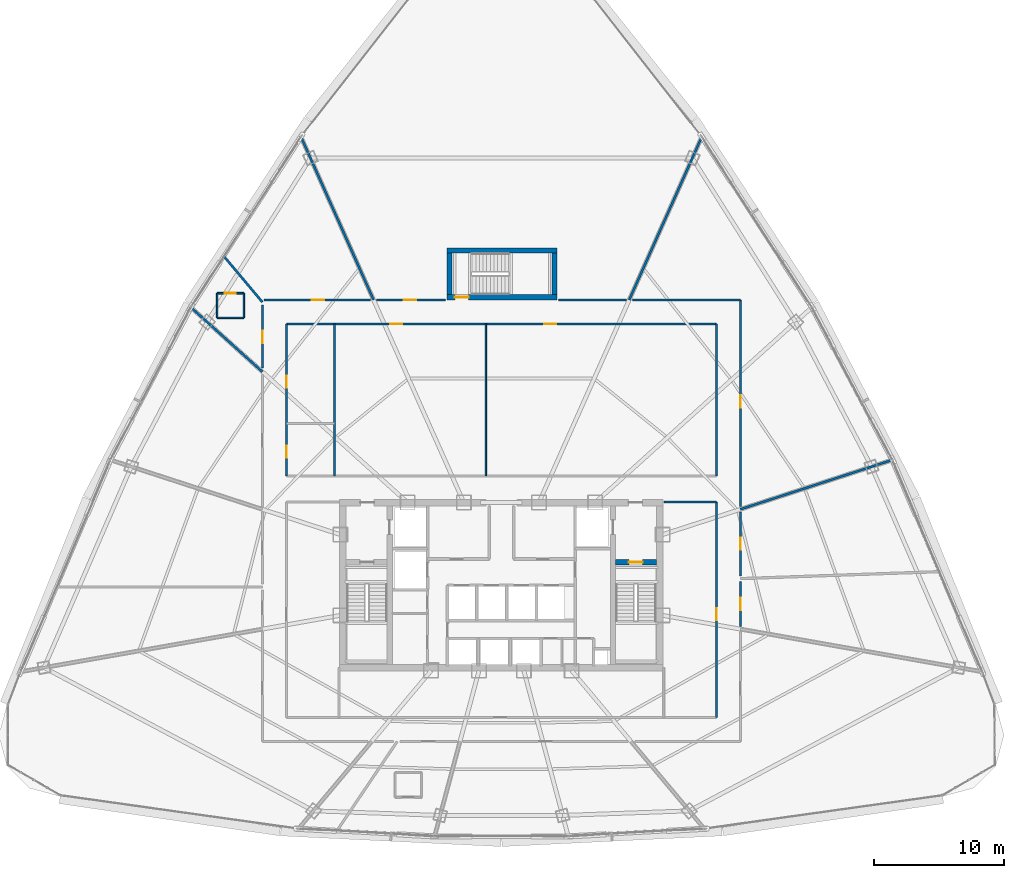
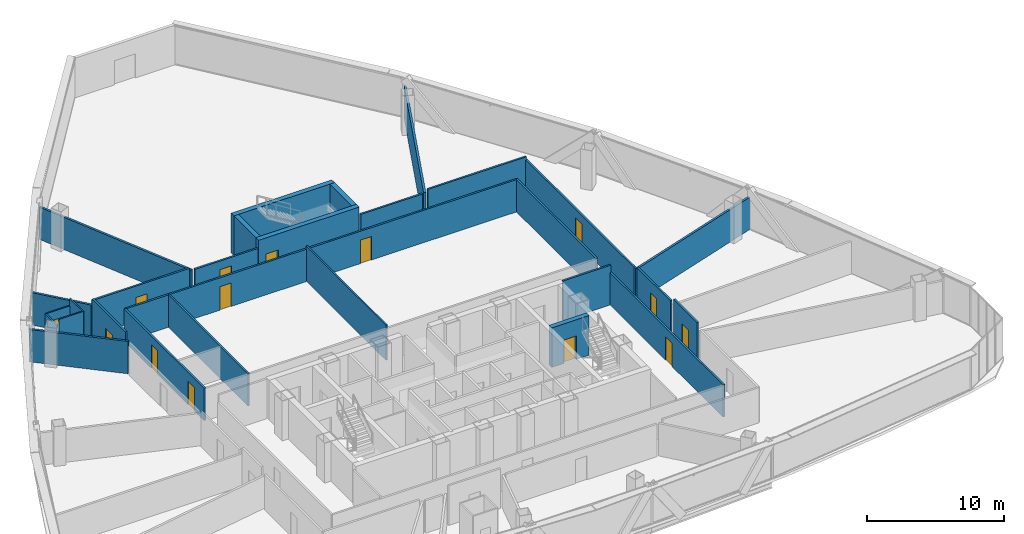
# One storey, part 33 of 38: 29 walls, 14 doors, 14 openings.
"""IFC4 building model written with IfcOpenShell, lengths in metres."""

from ifc_helpers import new_model, si_unit, direction, frame, frame_2d, origin, origin_with_axes, place, context, subcontext, project, spatial, rectangle, extrude, source, transform, mapped, material, layer, layer_set, type_object, element, fill, save


model = new_model("IFC4")

# Units and contexts
model_context = context("Model", 3, precision=1e-05, world=origin(), true_north=direction((0.0, 1.0)))
body_context = subcontext(model_context, "Body", "Model", "MODEL_VIEW")
ifc_project = project(units=[si_unit("LENGTHUNIT", "METRE"), si_unit("AREAUNIT", "SQUARE_METRE"), si_unit("VOLUMEUNIT", "CUBIC_METRE"), si_unit("PLANEANGLEUNIT", "RADIAN"), si_unit("MASSUNIT", "GRAM", prefix="KILO"), si_unit("THERMODYNAMICTEMPERATUREUNIT", "KELVIN"), si_unit("POWERUNIT", "WATT")], contexts=[model_context])

# Site, building, storey
site_placement = place(None, origin())
site = spatial("IfcSite", under=ifc_project, at=site_placement, CompositionType="ELEMENT")
building_placement = place(site_placement, origin())
building = spatial("IfcBuilding", under=site, at=building_placement, Name="Yunzhuo Pagoda Commons", CompositionType="ELEMENT")
storey_placement = place(building_placement, frame((0.0, 0.0, 203.760009765625)))
storey = spatial("IfcBuildingStorey", under=building, at=storey_placement, Name="L51", CompositionType="ELEMENT", Elevation=203.760009765625)

# Wall, openings, doors
ifc_material_1 = material(Name="Gypsum plasterboard on acoustic stud")
ifc_layer_1 = layer(ifc_material_1, 0.155029296875)
ifc_layer_set_1 = layer_set([ifc_layer_1], Name="Gypsum plasterboard on acoustic stud")
wall_type_1 = type_object("IfcWallType", Name="W-COR2 Mid-Zone Rated Corridor Wall 155", PredefinedType="PARTITIONING", material=ifc_layer_set_1)
wall_1_placement = place(storey_placement, frame((31.449951171875, 53.949951171875, 0.0), z_axis=(0.0, 0.0, 1.0), x_axis=(1.0, 0.0, 0.0)))
wall_1 = element("IfcWall", 1, at=wall_1_placement, inside=storey, type_object=wall_type_1, Name="L51 interior wall IW-L51-MCNN", PredefinedType="PARTITIONING", context=body_context, shape_type="SweptSolid", body=[
    extrude(rectangle(XDim=33.10009765625, YDim=0.155029296875, at=frame_2d((16.550048828125, 0.0))), origin(), (0.0, 0.0, 1.0), 2.889892578125),
])
opening_1_placement = place(wall_1_placement, frame((8.0, 0.0, 0.0)))
opening_1 = element("IfcOpeningElement", 2, at=opening_1_placement, cuts=wall_1, Name="Opening D-04", PredefinedType="OPENING", context=body_context, shape_type="SweptSolid", body=[
    extrude(rectangle(XDim=0.919921875, YDim=2.10009765625, at=frame_2d((0.4599609375, 1.050048828125))), frame((0.0, 0.08740234375, 0.0), z_axis=(0.0, -1.0, 0.0), x_axis=(1.0, 0.0, 0.0)), (0.0, 0.0, 1.0), 0.175048828125),
])
opening_2_placement = place(wall_1_placement, frame((19.85009765625, 0.0, 0.0)))
opening_2 = element("IfcOpeningElement", 3, at=opening_2_placement, cuts=wall_1, Name="Opening D-04", PredefinedType="OPENING", context=body_context, shape_type="SweptSolid", body=[
    extrude(rectangle(XDim=0.919921875, YDim=2.10009765625, at=frame_2d((0.4599609375, 1.050048828125))), frame((0.0, 0.08740234375, 0.0), z_axis=(0.0, -1.0, 0.0), x_axis=(1.0, 0.0, 0.0)), (0.0, 0.0, 1.0), 0.175048828125),
])
ifc_material_2 = material(Name="Powder-coated aluminium and timber acoustic leaf", Category="wood")
door_type_1 = type_object("IfcDoorType", Name="D-04 Bedroom & Study Interior Door 920x2100", OperationType="NOTDEFINED", PredefinedType="DOOR", material=ifc_material_2)
shared_shape_1 = source(origin(), body_context, "Body", "SweptSolid", [
    extrude(rectangle(XDim=0.919921875, YDim=2.10009765625, at=frame_2d((0.4599609375, 1.050048828125))), frame((0.0, 0.02490234375, 0.0), z_axis=(0.0, -1.0, 0.0), x_axis=(1.0, 0.0, 0.0)), (0.0, 0.0, 1.0), 0.050048828125),
])
door_1_placement = place(opening_1_placement, origin_with_axes())
door_1 = element("IfcDoor", 4, at=door_1_placement, inside=storey, type_object=door_type_1, Name="L51 reading commons door", OperationType="SINGLE_SWING_LEFT", OverallHeight=2.10009765625, OverallWidth=0.919921875, PredefinedType="DOOR", context=body_context, shape_type="MappedRepresentation", body=[
    mapped(shared_shape_1, transform((0.0, 0.0, 0.0), scale=1.0)),
])
fill(opening_1, door_1)
door_2_placement = place(opening_2_placement, origin_with_axes())
door_2 = element("IfcDoor", 5, at=door_2_placement, inside=storey, type_object=door_type_1, Name="L51 seminar commons door", OperationType="SINGLE_SWING_RIGHT", OverallHeight=2.10009765625, OverallWidth=0.919921875, PredefinedType="DOOR", context=body_context, shape_type="MappedRepresentation", body=[
    mapped(shared_shape_1, transform((0.0, 0.0, 0.0), scale=1.0)),
])
fill(opening_2, door_2)

wall_2_placement = place(storey_placement, frame((31.449951171875, 42.25, 0.0), z_axis=(0.0, 0.0, 1.0), x_axis=(0.0, 1.0, 0.0)))
wall_2 = element("IfcWall", 6, at=wall_2_placement, inside=storey, type_object=wall_type_1, Name="L51 interior wall IW-L51-MCNW", PredefinedType="PARTITIONING", context=body_context, shape_type="SweptSolid", body=[
    extrude(rectangle(XDim=11.699951171875, YDim=0.155029296875, at=frame_2d((5.85009765625, 0.0))), origin(), (0.0, 0.0, 1.0), 2.889892578125),
])
opening_3_placement = place(wall_2_placement, frame((1.39990234375, 0.0, 0.0)))
opening_3 = element("IfcOpeningElement", 7, at=opening_3_placement, cuts=wall_2, Name="Opening D-11", PredefinedType="OPENING", context=body_context, shape_type="SweptSolid", body=[
    extrude(rectangle(XDim=0.93994140625, YDim=2.10009765625, at=frame_2d((0.469970703125, 1.050048828125))), frame((0.0, 0.08740234375, 0.0), z_axis=(0.0, -1.0, 0.0), x_axis=(1.0, 0.0, 0.0)), (0.0, 0.0, 1.0), 0.175048828125),
])
opening_4_placement = place(wall_2_placement, frame((6.800048828125, 0.0, 0.0)))
opening_4 = element("IfcOpeningElement", 8, at=opening_4_placement, cuts=wall_2, Name="Opening D-04", PredefinedType="OPENING", context=body_context, shape_type="SweptSolid", body=[
    extrude(rectangle(XDim=0.919921875, YDim=2.10009765625, at=frame_2d((0.4599609375, 1.050048828125))), frame((0.0, 0.08740234375, 0.0), z_axis=(0.0, -1.0, 0.0), x_axis=(1.0, 0.0, 0.0)), (0.0, 0.0, 1.0), 0.175048828125),
])
ifc_material_3 = material(Name="Galvanized fire-resisting metal leaf")
door_type_2 = type_object("IfcDoorType", Name="D-11 Accessible Washroom Fire Door 940x2100", OperationType="NOTDEFINED", PredefinedType="DOOR", material=ifc_material_3)
shared_shape_2 = source(origin(), body_context, "Body", "SweptSolid", [
    extrude(rectangle(XDim=0.93994140625, YDim=2.10009765625, at=frame_2d((0.469970703125, 1.050048828125))), frame((0.0, 0.02490234375, 0.0), z_axis=(0.0, -1.0, 0.0), x_axis=(1.0, 0.0, 0.0)), (0.0, 0.0, 1.0), 0.050048828125),
])
door_3_placement = place(opening_3_placement, origin_with_axes())
door_3 = element("IfcDoor", 9, at=door_3_placement, inside=storey, type_object=door_type_2, Name="L51 accessible WC door", OperationType="SINGLE_SWING_LEFT", OverallHeight=2.10009765625, OverallWidth=0.93994140625, PredefinedType="DOOR", context=body_context, shape_type="MappedRepresentation", body=[
    mapped(shared_shape_2, transform((0.0, 0.0, 0.0), scale=1.0)),
])
fill(opening_3, door_3)
door_4_placement = place(opening_4_placement, origin_with_axes())
door_4 = element("IfcDoor", 10, at=door_4_placement, inside=storey, type_object=door_type_1, Name="L51 laundry door", OperationType="SINGLE_SWING_RIGHT", OverallHeight=2.10009765625, OverallWidth=0.919921875, PredefinedType="DOOR", context=body_context, shape_type="MappedRepresentation", body=[
    mapped(shared_shape_1, transform((0.0, 0.0, 0.0), scale=1.0)),
])
fill(opening_4, door_4)

# Walls
for number, where, z_axis, x_axis, name in (
    (11, (64.550048828125, 42.25, 0.0), (0.0, 0.0, 1.0), (0.0, 1.0, 0.0), "L51 interior wall IW-L51-MCNE"),
    (12, (35.14990234375, 42.25, 0.0), (0.0, 0.0, 1.0), (0.0, 1.0, 0.0), "L51 interior wall IW-L51-MCWCE"),
):
    element("IfcWall", number, at=place(storey_placement, frame(where, z_axis=z_axis, x_axis=x_axis)), inside=storey, type_object=wall_type_1, Name=name, PredefinedType="PARTITIONING", context=body_context, shape_type="SweptSolid", body=[
        extrude(rectangle(XDim=11.699951171875, YDim=0.155029296875, at=frame_2d((5.85009765625, 0.0))), origin(), (0.0, 0.0, 1.0), 2.889892578125),
    ])

# Wall, opening, door
wall_3_placement = place(storey_placement, frame((64.550048828125, 23.64990234375, 0.0), z_axis=(0.0, 0.0, 1.0), x_axis=(0.0, 1.0, 0.0)))
wall_3 = element("IfcWall", 13, at=wall_3_placement, inside=storey, type_object=wall_type_1, Name="L51 interior wall IW-L51-SFLE", PredefinedType="PARTITIONING", context=body_context, shape_type="SweptSolid", body=[
    extrude(rectangle(XDim=16.60009765625, YDim=0.155029296875, at=frame_2d((8.300048828125, 0.0))), origin(), (0.0, 0.0, 1.0), 2.889892578125),
])
opening_5_placement = place(wall_3_placement, frame((7.5, 0.0, 0.0)))
opening_5 = element("IfcOpeningElement", 14, at=opening_5_placement, cuts=wall_3, Name="Opening D-12", PredefinedType="OPENING", context=body_context, shape_type="SweptSolid", body=[
    extrude(rectangle(XDim=0.89990234375, YDim=2.080078125, at=frame_2d((0.449951171875, 1.0400390625))), frame((0.0, 0.08740234375, 0.0), z_axis=(0.0, -1.0, 0.0), x_axis=(1.0, 0.0, 0.0)), (0.0, 0.0, 1.0), 0.175048828125),
])
door_type_3 = type_object("IfcDoorType", Name="D-12 Quiet Study Interior Door 900x2080", OperationType="NOTDEFINED", PredefinedType="DOOR", material=ifc_material_2)
shared_shape_3 = source(origin(), body_context, "Body", "SweptSolid", [
    extrude(rectangle(XDim=0.89990234375, YDim=2.080078125, at=frame_2d((0.449951171875, 1.0400390625))), frame((0.0, 0.02490234375, 0.0), z_axis=(0.0, -1.0, 0.0), x_axis=(1.0, 0.0, 0.0)), (0.0, 0.0, 1.0), 0.050048828125),
])
door_5_placement = place(opening_5_placement, frame((0.89990234375, 0.0, 0.0), z_axis=(0.0, 0.0, 1.0), x_axis=(-1.0, 0.0, 0.0)))
door_5 = element("IfcDoor", 15, at=door_5_placement, inside=storey, type_object=door_type_3, Name="L51 east study workroom door", OperationType="SINGLE_SWING_RIGHT", OverallHeight=2.080078125, OverallWidth=0.89990234375, PredefinedType="DOOR", context=body_context, shape_type="MappedRepresentation", body=[
    mapped(shared_shape_3, transform((0.0, 0.0, 0.0), scale=1.0)),
])
fill(opening_5, door_5)

# Wall
wall_4_placement = place(storey_placement, frame((60.5, 40.25, 0.0), z_axis=(0.0, 0.0, 1.0), x_axis=(1.0, 0.0, 0.0)))
element("IfcWall", 16, at=wall_4_placement, inside=storey, type_object=wall_type_1, Name="L51 interior wall IW-L51-SFLNE", PredefinedType="PARTITIONING", context=body_context, shape_type="SweptSolid", body=[
    extrude(rectangle(XDim=4.050048828125, YDim=0.155029296875, at=frame_2d((2.02490234375, 0.0))), origin(), (0.0, 0.0, 1.0), 3.5400390625),
])

# Wall, opening, door
wall_5_placement = place(storey_placement, frame((29.60009765625, 50.5634765625, 0.0), z_axis=(0.0, 0.0, 1.0), x_axis=(0.0, 1.0, 0.0)))
wall_5 = element("IfcWall", 17, at=wall_5_placement, inside=storey, type_object=wall_type_1, Name="L51 interior wall IW-L51-CWL05", PredefinedType="PARTITIONING", context=body_context, shape_type="SweptSolid", body=[
    extrude(rectangle(XDim=4.844970703125, YDim=0.155029296875, at=frame_2d((2.42236328125, 0.0))), origin(), (0.0, 0.0, 1.0), 3.5400390625),
])
opening_6_placement = place(wall_5_placement, frame((1.909423828125, 0.0, 0.0)))
opening_6 = element("IfcOpeningElement", 18, at=opening_6_placement, cuts=wall_5, Name="Opening D-07", PredefinedType="OPENING", context=body_context, shape_type="SweptSolid", body=[
    extrude(rectangle(XDim=0.9599609375, YDim=2.1201171875, at=frame_2d((0.47998046875, 1.06005859375))), frame((0.0, 0.08740234375, 0.0), z_axis=(0.0, -1.0, 0.0), x_axis=(1.0, 0.0, 0.0)), (0.0, 0.0, 1.0), 0.175048828125),
])
door_type_4 = type_object("IfcDoorType", Name="D-07 Mid-Zone Suite Entrance Fire Door 960x2120", OperationType="NOTDEFINED", PredefinedType="DOOR", material=ifc_material_3)
shared_shape_4 = source(origin(), body_context, "Body", "SweptSolid", [
    extrude(rectangle(XDim=0.9599609375, YDim=2.1201171875, at=frame_2d((0.47998046875, 1.06005859375))), frame((0.0, 0.02490234375, 0.0), z_axis=(0.0, -1.0, 0.0), x_axis=(1.0, 0.0, 0.0)), (0.0, 0.0, 1.0), 0.050048828125),
])
door_6_placement = place(opening_6_placement, origin_with_axes())
door_6 = element("IfcDoor", 19, at=door_6_placement, inside=storey, type_object=door_type_4, Name="L51 unit 05 entrance door", OperationType="SINGLE_SWING_LEFT", OverallHeight=2.1201171875, OverallWidth=0.9599609375, PredefinedType="DOOR", context=body_context, shape_type="MappedRepresentation", body=[
    mapped(shared_shape_4, transform((0.0, 0.0, 0.0), scale=1.0)),
])
fill(opening_6, door_6)

wall_6_placement = place(storey_placement, frame((29.7431640625, 55.800048828125, 0.0), z_axis=(0.0, 0.0, 1.0), x_axis=(1.0, 0.0, 0.0)))
wall_6 = element("IfcWall", 20, at=wall_6_placement, inside=storey, type_object=wall_type_1, Name="L51 interior wall IW-L51-CWL06", PredefinedType="PARTITIONING", context=body_context, shape_type="SweptSolid", body=[
    extrude(rectangle(XDim=8.176513671875, YDim=0.155029296875, at=frame_2d((4.08837890625, 0.0))), origin(), (0.0, 0.0, 1.0), 3.139892578125),
])
opening_7_placement = place(wall_6_placement, frame((3.6455078125, 0.0, 0.0)))
opening_7 = element("IfcOpeningElement", 21, at=opening_7_placement, cuts=wall_6, Name="Opening D-07", PredefinedType="OPENING", context=body_context, shape_type="SweptSolid", body=[
    extrude(rectangle(XDim=0.9599609375, YDim=2.1201171875, at=frame_2d((0.47998046875, 1.06005859375))), frame((0.0, 0.08740234375, 0.0), z_axis=(0.0, -1.0, 0.0), x_axis=(1.0, 0.0, 0.0)), (0.0, 0.0, 1.0), 0.175048828125),
])
door_7_placement = place(opening_7_placement, origin_with_axes())
door_7 = element("IfcDoor", 22, at=door_7_placement, inside=storey, type_object=door_type_4, Name="L51 unit 04 entrance door", OperationType="SINGLE_SWING_RIGHT", OverallHeight=2.1201171875, OverallWidth=0.9599609375, PredefinedType="DOOR", context=body_context, shape_type="MappedRepresentation", body=[
    mapped(shared_shape_4, transform((0.0, 0.0, 0.0), scale=1.0)),
])
fill(opening_7, door_7)

wall_7_placement = place(storey_placement, frame((38.380126953125, 55.800048828125, 0.0), z_axis=(0.0, 0.0, 1.0), x_axis=(1.0, 0.0, 0.0)))
wall_7 = element("IfcWall", 23, at=wall_7_placement, inside=storey, type_object=wall_type_1, Name="L51 interior wall IW-L51-CWL07", PredefinedType="PARTITIONING", context=body_context, shape_type="SweptSolid", body=[
    extrude(rectangle(XDim=5.328857421875, YDim=0.155029296875, at=frame_2d((2.66455078125, 0.0))), origin(), (0.0, 0.0, 1.0), 2.889892578125),
])
opening_8_placement = place(wall_7_placement, frame((2.114990234375, 0.0, 0.0)))
opening_8 = element("IfcOpeningElement", 24, at=opening_8_placement, cuts=wall_7, Name="Opening D-07", PredefinedType="OPENING", context=body_context, shape_type="SweptSolid", body=[
    extrude(rectangle(XDim=0.9599609375, YDim=2.1201171875, at=frame_2d((0.47998046875, 1.06005859375))), frame((0.0, 0.08740234375, 0.0), z_axis=(0.0, -1.0, 0.0), x_axis=(1.0, 0.0, 0.0)), (0.0, 0.0, 1.0), 0.175048828125),
])
door_8_placement = place(opening_8_placement, origin_with_axes())
door_8 = element("IfcDoor", 25, at=door_8_placement, inside=storey, type_object=door_type_4, Name="L51 unit 03 entrance door", OperationType="SINGLE_SWING_LEFT", OverallHeight=2.1201171875, OverallWidth=0.9599609375, PredefinedType="DOOR", context=body_context, shape_type="MappedRepresentation", body=[
    mapped(shared_shape_4, transform((0.0, 0.0, 0.0), scale=1.0)),
])
fill(opening_8, door_8)

# Walls
wall_8_placement = place(storey_placement, frame((52.39111328125, 55.800048828125, 0.0), z_axis=(0.0, 0.0, 1.0), x_axis=(1.0, 0.0, 0.0)))
element("IfcWall", 26, at=wall_8_placement, inside=storey, type_object=wall_type_1, Name="L51 interior wall IW-L51-CWL08", PredefinedType="PARTITIONING", context=body_context, shape_type="SweptSolid", body=[
    extrude(rectangle(XDim=5.228759765625, YDim=0.155029296875, at=frame_2d((2.6142578125, 0.0))), origin(), (0.0, 0.0, 1.0), 2.889892578125),
])
wall_9_placement = place(storey_placement, frame((58.080322265625, 55.800048828125, 0.0), z_axis=(0.0, 0.0, 1.0), x_axis=(1.0, 0.0, 0.0)))
element("IfcWall", 27, at=wall_9_placement, inside=storey, type_object=wall_type_1, Name="L51 interior wall IW-L51-CWL09", PredefinedType="PARTITIONING", context=body_context, shape_type="SweptSolid", body=[
    extrude(rectangle(XDim=8.319580078125, YDim=0.155029296875, at=frame_2d((4.15966796875, 0.0))), origin(), (0.0, 0.0, 1.0), 3.139892578125),
])

# Wall, opening, door
wall_10_placement = place(storey_placement, frame((66.39990234375, 55.800048828125, 0.0), z_axis=(0.0, 0.0, 1.0), x_axis=(0.0, -1.0, 0.0)))
wall_10 = element("IfcWall", 28, at=wall_10_placement, inside=storey, type_object=wall_type_1, Name="L51 interior wall IW-L51-CWL10", PredefinedType="PARTITIONING", context=body_context, shape_type="SweptSolid", body=[
    extrude(rectangle(XDim=15.89013671875, YDim=0.155029296875, at=frame_2d((7.945068359375, 0.0))), origin(), (0.0, 0.0, 1.0), 2.889892578125),
])
opening_9_placement = place(wall_10_placement, frame((7.355712890625, 0.0, 0.0)))
opening_9 = element("IfcOpeningElement", 29, at=opening_9_placement, cuts=wall_10, Name="Opening D-07", PredefinedType="OPENING", context=body_context, shape_type="SweptSolid", body=[
    extrude(rectangle(XDim=0.9599609375, YDim=2.1201171875, at=frame_2d((0.47998046875, 1.06005859375))), frame((0.0, 0.08740234375, 0.0), z_axis=(0.0, -1.0, 0.0), x_axis=(1.0, 0.0, 0.0)), (0.0, 0.0, 1.0), 0.175048828125),
])
door_9_placement = place(opening_9_placement, origin_with_axes())
door_9 = element("IfcDoor", 30, at=door_9_placement, inside=storey, type_object=door_type_4, Name="L51 Shared Resident Kitchen and Pantry door", OperationType="SINGLE_SWING_RIGHT", OverallHeight=2.1201171875, OverallWidth=0.9599609375, PredefinedType="DOOR", context=body_context, shape_type="MappedRepresentation", body=[
    mapped(shared_shape_4, transform((0.0, 0.0, 0.0), scale=1.0)),
])
fill(opening_9, door_9)

wall_11_placement = place(storey_placement, frame((66.39990234375, 39.458740234375, 0.0), z_axis=(0.0, 0.0, 1.0), x_axis=(0.0, -1.0, 0.0)))
wall_11 = element("IfcWall", 31, at=wall_11_placement, inside=storey, type_object=wall_type_1, Name="L51 interior wall IW-L51-CWL11", PredefinedType="PARTITIONING", context=body_context, shape_type="SweptSolid", body=[
    extrude(rectangle(XDim=4.896240234375, YDim=0.155029296875, at=frame_2d((2.4482421875, 0.0))), origin(), (0.0, 0.0, 1.0), 3.139892578125),
])
opening_10_placement = place(wall_11_placement, frame((1.98828125, 0.0, 0.0)))
opening_10 = element("IfcOpeningElement", 32, at=opening_10_placement, cuts=wall_11, Name="Opening D-04", PredefinedType="OPENING", context=body_context, shape_type="SweptSolid", body=[
    extrude(rectangle(XDim=0.919921875, YDim=2.10009765625, at=frame_2d((0.4599609375, 1.050048828125))), frame((0.0, 0.08740234375, 0.0), z_axis=(0.0, -1.0, 0.0), x_axis=(1.0, 0.0, 0.0)), (0.0, 0.0, 1.0), 0.175048828125),
])
door_10_placement = place(opening_10_placement, origin_with_axes())
door_10 = element("IfcDoor", 33, at=door_10_placement, inside=storey, type_object=door_type_1, Name="L51 seminar room 01 door", OperationType="SINGLE_SWING_LEFT", OverallHeight=2.10009765625, OverallWidth=0.919921875, PredefinedType="DOOR", context=body_context, shape_type="MappedRepresentation", body=[
    mapped(shared_shape_1, transform((0.0, 0.0, 0.0), scale=1.0)),
])
fill(opening_10, door_10)

wall_12_placement = place(storey_placement, frame((66.39990234375, 34.122802734375, 0.0), z_axis=(0.0, 0.0, 1.0), x_axis=(0.0, -1.0, 0.0)))
wall_12 = element("IfcWall", 34, at=wall_12_placement, inside=storey, type_object=wall_type_1, Name="L51 interior wall IW-L51-CWL12", PredefinedType="PARTITIONING", context=body_context, shape_type="SweptSolid", body=[
    extrude(rectangle(XDim=3.447509765625, YDim=0.155029296875, at=frame_2d((1.7236328125, 0.0))), origin(), (0.0, 0.0, 1.0), 3.5400390625),
])
opening_11_placement = place(wall_12_placement, frame((1.24853515625, 0.0, 0.0)))
opening_11 = element("IfcOpeningElement", 35, at=opening_11_placement, cuts=wall_12, Name="Opening D-07", PredefinedType="OPENING", context=body_context, shape_type="SweptSolid", body=[
    extrude(rectangle(XDim=0.9599609375, YDim=2.1201171875, at=frame_2d((0.47998046875, 1.06005859375))), frame((0.0, 0.08740234375, 0.0), z_axis=(0.0, -1.0, 0.0), x_axis=(1.0, 0.0, 0.0)), (0.0, 0.0, 1.0), 0.175048828125),
])
door_11_placement = place(opening_11_placement, origin_with_axes())
door_11 = element("IfcDoor", 36, at=door_11_placement, inside=storey, type_object=door_type_4, Name="L51 unit 14 entrance door", OperationType="SINGLE_SWING_RIGHT", OverallHeight=2.1201171875, OverallWidth=0.9599609375, PredefinedType="DOOR", context=body_context, shape_type="MappedRepresentation", body=[
    mapped(shared_shape_4, transform((0.0, 0.0, 0.0), scale=1.0)),
])
fill(opening_11, door_11)

# Walls
ifc_layer_2 = layer(ifc_material_1, 0.1201171875)
ifc_layer_set_2 = layer_set([ifc_layer_2], Name="Gypsum plasterboard on acoustic stud")
wall_type_2 = type_object("IfcWallType", Name="W-PRT1 Suite & Bathroom Partition 120", PredefinedType="PARTITIONING", material=ifc_layer_set_2)
wall_13_placement = place(storey_placement, frame((46.800048828125, 42.25, 0.0), z_axis=(0.0, 0.0, 1.0), x_axis=(0.0, 1.0, 0.0)))
element("IfcWall", 37, at=wall_13_placement, inside=storey, type_object=wall_type_2, Name="L51 interior wall IW-L51-MCDIV", PredefinedType="PARTITIONING", context=body_context, shape_type="SweptSolid", body=[
    extrude(rectangle(XDim=11.699951171875, YDim=0.1201171875, at=frame_2d((5.85009765625, 0.0))), origin(), (0.0, 0.0, 1.0), 3.139892578125),
])
wall_14_placement = place(storey_placement, frame((26.1201171875, 54.408935546875, 0.0), z_axis=(0.0, 0.0, 1.0), x_axis=(1.0, 0.0, 0.0)))
element("IfcWall", 38, at=wall_14_placement, inside=storey, type_object=wall_type_2, Name="L51 interior wall IW-L51-B05S", PredefinedType="PARTITIONING", context=body_context, shape_type="SweptSolid", body=[
    extrude(rectangle(XDim=2.0498046875, YDim=0.1201171875, at=frame_2d((1.02490234375, 0.0))), origin(), (0.0, 0.0, 1.0), 3.5400390625),
])
wall_15_placement = place(storey_placement, frame((28.169921875, 54.408935546875, 0.0), z_axis=(0.0, 0.0, 1.0), x_axis=(0.0, 1.0, 0.0)))
element("IfcWall", 39, at=wall_15_placement, inside=storey, type_object=wall_type_2, Name="L51 interior wall IW-L51-B05E", PredefinedType="PARTITIONING", context=body_context, shape_type="SweptSolid", body=[
    extrude(rectangle(XDim=1.900146484375, YDim=0.1201171875, at=frame_2d((0.9501953125, 0.0))), origin(), (0.0, 0.0, 1.0), 3.5400390625),
])

# Wall, opening, door
wall_16_placement = place(storey_placement, frame((28.169921875, 56.30908203125, 0.0), z_axis=(0.0, 0.0, 1.0), x_axis=(-1.0, 0.0, 0.0)))
wall_16 = element("IfcWall", 40, at=wall_16_placement, inside=storey, type_object=wall_type_2, Name="L51 interior wall IW-L51-B05N", PredefinedType="PARTITIONING", context=body_context, shape_type="SweptSolid", body=[
    extrude(rectangle(XDim=2.0498046875, YDim=0.1201171875, at=frame_2d((1.02490234375, 0.0))), origin(), (0.0, 0.0, 1.0), 2.889892578125),
])
opening_12_placement = place(wall_16_placement, frame((0.60009765625, 0.0, 0.0)))
opening_12 = element("IfcOpeningElement", 41, at=opening_12_placement, cuts=wall_16, Name="Opening D-05", PredefinedType="OPENING", context=body_context, shape_type="SweptSolid", body=[
    extrude(rectangle(XDim=0.85009765625, YDim=2.10009765625, at=frame_2d((0.425048828125, 1.050048828125))), frame((0.0, 0.070068359375, 0.0), z_axis=(0.0, -1.0, 0.0), x_axis=(1.0, 0.0, 0.0)), (0.0, 0.0, 1.0), 0.14013671875),
])
door_type_5 = type_object("IfcDoorType", Name="D-05 En-Suite Bathroom Door 850x2100", OperationType="NOTDEFINED", PredefinedType="DOOR", material=ifc_material_2)
shared_shape_5 = source(origin(), body_context, "Body", "SweptSolid", [
    extrude(rectangle(XDim=0.85009765625, YDim=2.10009765625, at=frame_2d((0.425048828125, 1.050048828125))), frame((0.0, 0.02490234375, 0.0), z_axis=(0.0, -1.0, 0.0), x_axis=(1.0, 0.0, 0.0)), (0.0, 0.0, 1.0), 0.050048828125),
])
door_12_placement = place(opening_12_placement, frame((0.85009765625, 0.0, 0.0), z_axis=(0.0, 0.0, 1.0), x_axis=(-1.0, 0.0, 0.0)))
door_12 = element("IfcDoor", 42, at=door_12_placement, inside=storey, type_object=door_type_5, Name="L51 unit 05 bathroom door", OperationType="SINGLE_SWING_LEFT", OverallHeight=2.10009765625, OverallWidth=0.85009765625, PredefinedType="DOOR", context=body_context, shape_type="MappedRepresentation", body=[
    mapped(shared_shape_5, transform((0.0, 0.0, 0.0), scale=1.0)),
])
fill(opening_12, door_12)

# Walls
wall_17_placement = place(storey_placement, frame((26.1201171875, 56.30908203125, 0.0), z_axis=(0.0, 0.0, 1.0), x_axis=(0.0, -1.0, 0.0)))
element("IfcWall", 43, at=wall_17_placement, inside=storey, type_object=wall_type_2, Name="L51 interior wall IW-L51-B05W", PredefinedType="PARTITIONING", context=body_context, shape_type="SweptSolid", body=[
    extrude(rectangle(XDim=1.900146484375, YDim=0.1201171875, at=frame_2d((0.9501953125, 0.0))), origin(), (0.0, 0.0, 1.0), 2.889892578125),
])
ifc_layer_3 = layer(ifc_material_1, 0.175048828125)
ifc_layer_set_3 = layer_set([ifc_layer_3], Name="Gypsum plasterboard on acoustic stud")
wall_type_3 = type_object("IfcWallType", Name="W-PRT3 Mid-Zone Demising Wall 175", PredefinedType="PARTITIONING", material=ifc_layer_set_3)
wall_18_placement = place(storey_placement, frame((66.39990234375, 39.678466796875, 0.0), z_axis=(0.0, 0.0, 1.0), x_axis=(0.951057676857, 0.309013422511, 0.0)))
element("IfcWall", 44, at=wall_18_placement, inside=storey, type_object=wall_type_3, Name="L51 interior wall IW-L51-RAD02", PredefinedType="PARTITIONING", context=body_context, shape_type="SweptSolid", body=[
    extrude(rectangle(XDim=12.31005859375, YDim=0.175048828125, at=frame_2d((6.155029296875, 0.0))), origin(), (0.0, 0.0, 1.0), 2.889892578125),
])
for number, where, z_axis, x_axis, name in (
    (45, (57.839599609375, 55.800048828125, 0.0), (0.0, 0.0, 1.0), (0.406733161266, 0.913547007836, 0.0), "L51 interior wall IW-L51-RAD03"),
    (46, (38.160400390625, 55.800048828125, 0.0), (0.0, 0.0, 1.0), (-0.406733161266, 0.913547007836, 0.0), "L51 interior wall IW-L51-RAD04"),
):
    element("IfcWall", number, at=place(storey_placement, frame(where, z_axis=z_axis, x_axis=x_axis)), inside=storey, type_object=wall_type_3, Name=name, PredefinedType="PARTITIONING", context=body_context, shape_type="SweptSolid", body=[
        extrude(rectangle(XDim=13.748779296875, YDim=0.175048828125, at=frame_2d((6.87451171875, 0.0))), origin(), (0.0, 0.0, 1.0), 2.889892578125),
    ])
wall_19_placement = place(storey_placement, frame((29.60009765625, 55.62841796875, 0.0), z_axis=(0.0, 0.0, 1.0), x_axis=(-0.642810353623, 0.766025358115, 0.0)))
element("IfcWall", 47, at=wall_19_placement, inside=storey, type_object=wall_type_3, Name="L51 interior wall IW-L51-RAD05", PredefinedType="PARTITIONING", context=body_context, shape_type="SweptSolid", body=[
    extrude(rectangle(XDim=4.62060546875, YDim=0.175048828125, at=frame_2d((2.310302734375, 0.0))), origin(), (0.0, 0.0, 1.0), 2.889892578125),
])
wall_20_placement = place(storey_placement, frame((29.60009765625, 50.267333984375, 0.0), z_axis=(0.0, 0.0, 1.0), x_axis=(-0.743143583897, 0.669131985271, 0.0)))
element("IfcWall", 48, at=wall_20_placement, inside=storey, type_object=wall_type_3, Name="L51 interior wall IW-L51-RAD06", PredefinedType="PARTITIONING", context=body_context, shape_type="SweptSolid", body=[
    extrude(rectangle(XDim=7.418701171875, YDim=0.175048828125, at=frame_2d((3.70947265625, 0.0))), origin(), (0.0, 0.0, 1.0), 2.889892578125),
])

# Wall, opening, door
ifc_material_4 = material(Name="Concrete C60", Category="concrete")
ifc_layer_4 = layer(ifc_material_4, 0.39990234375)
ifc_layer_set_4 = layer_set([ifc_layer_4], Name="Concrete C60")
wall_type_4 = type_object("IfcWallType", Name="W-S01 Internal Core Shear Web 400", PredefinedType="SHEAR", material=ifc_layer_set_4)
wall_21_placement = place(storey_placement, frame((56.800048828125, 35.60009765625, 0.0), z_axis=(0.0, 0.0, 1.0), x_axis=(1.0, 0.0, 0.0)))
wall_21 = element("IfcWall", 49, at=wall_21_placement, inside=storey, type_object=wall_type_4, Name="L51 core shear wall STE", PredefinedType="SHEAR", context=body_context, shape_type="SweptSolid", body=[
    extrude(rectangle(XDim=3.14990234375, YDim=0.39990234375, at=frame_2d((1.574951171875, 0.0))), origin(), (0.0, 0.0, 1.0), 3.5400390625),
])
opening_13_placement = place(wall_21_placement, frame((1.02001953125, 0.0, 0.0)))
opening_13 = element("IfcOpeningElement", 50, at=opening_13_placement, cuts=wall_21, Name="Opening D-01", PredefinedType="OPENING", context=body_context, shape_type="SweptSolid", body=[
    extrude(rectangle(XDim=1.050048828125, YDim=2.10009765625, at=frame_2d((0.52490234375, 1.050048828125))), frame((0.0, 0.2099609375, 0.0), z_axis=(0.0, -1.0, 0.0), x_axis=(1.0, 0.0, 0.0)), (0.0, 0.0, 1.0), 0.419921875),
])
door_type_6 = type_object("IfcDoorType", Name="D-01 Smokeproof Stair Fire Door 1050x2100", OperationType="NOTDEFINED", PredefinedType="DOOR", material=ifc_material_3)
shared_shape_6 = source(origin(), body_context, "Body", "SweptSolid", [
    extrude(rectangle(XDim=1.050048828125, YDim=2.10009765625, at=frame_2d((0.52490234375, 1.050048828125))), frame((0.0, 0.02490234375, 0.0), z_axis=(0.0, -1.0, 0.0), x_axis=(1.0, 0.0, 0.0)), (0.0, 0.0, 1.0), 0.050048828125),
])
door_13_placement = place(opening_13_placement, frame((1.050048828125, 0.0, 0.0), z_axis=(0.0, 0.0, 1.0), x_axis=(-1.0, 0.0, 0.0)))
door_13 = element("IfcDoor", 51, at=door_13_placement, inside=storey, type_object=door_type_6, Name="L51 Stair ST2 fire door", OperationType="SINGLE_SWING_RIGHT", OverallHeight=2.10009765625, OverallWidth=1.050048828125, PredefinedType="DOOR", context=body_context, shape_type="MappedRepresentation", body=[
    mapped(shared_shape_6, transform((0.0, 0.0, 0.0), scale=1.0)),
])
fill(opening_13, door_13)

# Wall
wall_22_placement = place(storey_placement, frame((43.800048828125, 59.60009765625, 0.0), z_axis=(0.0, 0.0, 1.0), x_axis=(1.0, 0.0, 0.0)))
element("IfcWall", 52, at=wall_22_placement, inside=storey, type_object=wall_type_4, Name="L51 ST3 structural stair wall N", PredefinedType="SHEAR", context=body_context, shape_type="SweptSolid", body=[
    extrude(rectangle(XDim=8.5, YDim=0.39990234375, at=frame_2d((4.25, 0.0))), origin(), (0.0, 0.0, 1.0), 3.5400390625),
])

# Wall, opening, door
wall_23_placement = place(storey_placement, frame((43.800048828125, 56.0, 0.0), z_axis=(0.0, 0.0, 1.0), x_axis=(1.0, 0.0, 0.0)))
wall_23 = element("IfcWall", 53, at=wall_23_placement, inside=storey, type_object=wall_type_4, Name="L51 ST3 structural stair wall S", PredefinedType="SHEAR", context=body_context, shape_type="SweptSolid", body=[
    extrude(rectangle(XDim=8.5, YDim=0.39990234375, at=frame_2d((4.25, 0.0))), origin(), (0.0, 0.0, 1.0), 3.5400390625),
])
opening_14_placement = place(wall_23_placement, frame((0.6201171875, 0.0, 0.0)))
opening_14 = element("IfcOpeningElement", 54, at=opening_14_placement, cuts=wall_23, Name="Opening D-01", PredefinedType="OPENING", context=body_context, shape_type="SweptSolid", body=[
    extrude(rectangle(XDim=1.050048828125, YDim=2.10009765625, at=frame_2d((0.52490234375, 1.050048828125))), frame((0.0, 0.2099609375, 0.0), z_axis=(0.0, -1.0, 0.0), x_axis=(1.0, 0.0, 0.0)), (0.0, 0.0, 1.0), 0.419921875),
])
door_14_placement = place(opening_14_placement, frame((1.050048828125, 0.0, 0.0), z_axis=(0.0, 0.0, 1.0), x_axis=(-1.0, 0.0, 0.0)))
door_14 = element("IfcDoor", 55, at=door_14_placement, inside=storey, type_object=door_type_6, Name="L51 Stair ST3 fire door", OperationType="SINGLE_SWING_LEFT", OverallHeight=2.10009765625, OverallWidth=1.050048828125, PredefinedType="DOOR", context=body_context, shape_type="MappedRepresentation", body=[
    mapped(shared_shape_6, transform((0.0, 0.0, 0.0), scale=1.0)),
])
fill(opening_14, door_14)

# Walls
for number, where, z_axis, x_axis, name in (
    (56, (44.0, 56.199951171875, 0.0), (0.0, 0.0, 1.0), (0.0, 1.0, 0.0), "L51 ST3 structural stair wall W"),
    (57, (52.10009765625, 56.199951171875, 0.0), (0.0, 0.0, 1.0), (0.0, 1.0, 0.0), "L51 ST3 structural stair wall E"),
):
    element("IfcWall", number, at=place(storey_placement, frame(where, z_axis=z_axis, x_axis=x_axis)), inside=storey, type_object=wall_type_4, Name=name, PredefinedType="SHEAR", context=body_context, shape_type="SweptSolid", body=[
        extrude(rectangle(XDim=3.199951171875, YDim=0.39990234375, at=frame_2d((1.60009765625, 0.0))), origin(), (0.0, 0.0, 1.0), 3.5400390625),
    ])

save(model, "model.ifc")
